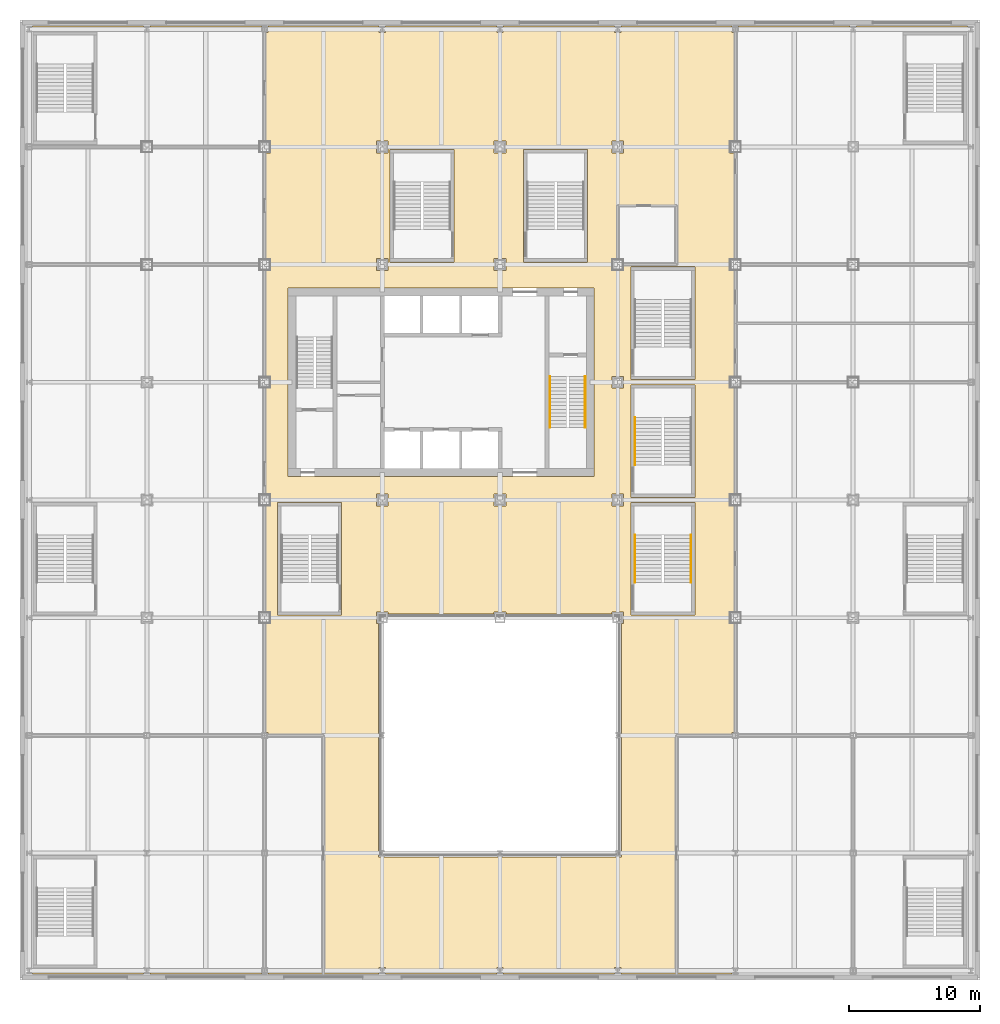
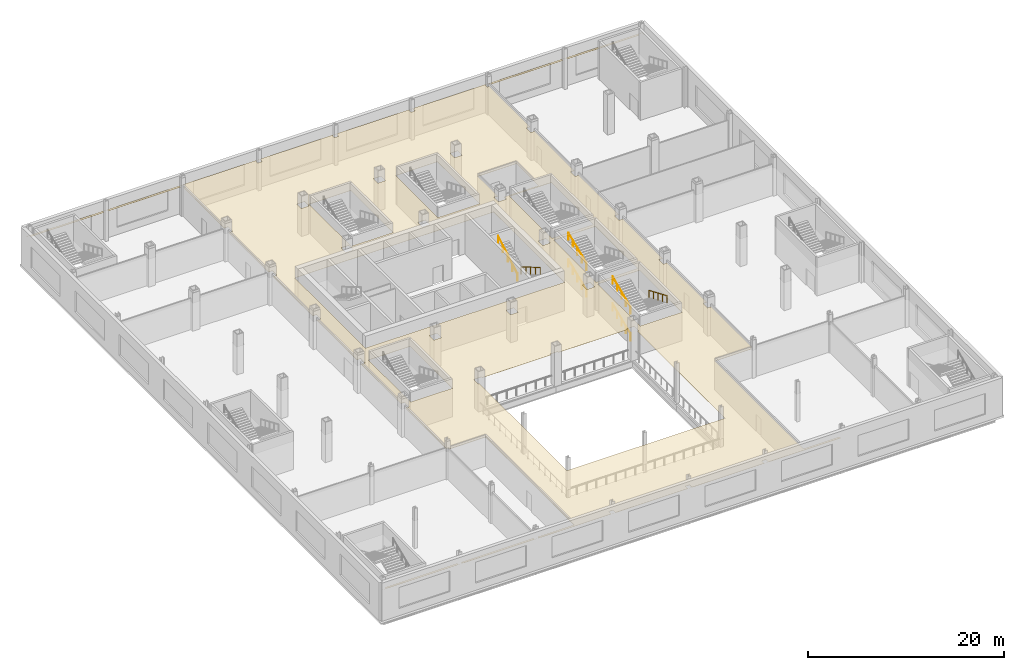
# One storey, part 26 of 31: 7 railings, 1 covering.
"""IFC4 building model written with IfcOpenShell, lengths in metres."""

import ifcopenshell
import ifcopenshell.guid

model = None  # the IFC model being written
_history = None  # IfcOwnerHistory: only IFC2X3 demands one
_inside = {}  # id of a spatial element -> (the spatial element, [elements in it])
_under = {}  # id of a project, library or spatial element -> (it, [spatial elements below it])
_declared = {}  # id of a project -> (the project, [libraries it declares])
_typed = {}  # id of a type object -> (the type object, [elements of that type])
_made_of = {}  # id of a material, layer set ... -> (it, [elements and type objects made of it])


def new_model(schema):
    """Start an empty IFC model of exactly this schema.

    Asked for "IFC4X3", IfcOpenShell would pick the latest addendum, in which some entities
    have other attributes; the version numbers below select the first issue.
    IFC2X3 requires an IfcOwnerHistory on every rooted entity: one is made here for all.
    """
    global model, _history
    if schema == "IFC4X3":
        model = ifcopenshell.file(schema_version=(4, 3, 0, 0))
    else:
        model = ifcopenshell.file(schema=schema)
    _inside.clear()
    _under.clear()
    _declared.clear()
    _typed.clear()
    _made_of.clear()
    _history = None
    if model.schema == "IFC2X3":
        org = make("IfcOrganization", Name="unknown")
        user = make(
            "IfcPersonAndOrganization",
            ThePerson=make("IfcPerson", FamilyName="unknown"),
            TheOrganization=org,
        )
        app = make(
            "IfcApplication",
            ApplicationDeveloper=org,
            Version="unknown",
            ApplicationFullName="unknown",
            ApplicationIdentifier="unknown",
        )
        _history = make(
            "IfcOwnerHistory",
            OwningUser=user,
            OwningApplication=app,
            ChangeAction="ADDED",
            CreationDate=0,
        )
    return model


def make(cls, **values):
    """One entity of the class cls with the attributes given. An attribute that is None is left unset."""
    return model.create_entity(
        cls, **{name: value for name, value in values.items() if value is not None}
    )


def rooted(cls, **values):
    """An entity with a GlobalId (a new one), such as an element, a storey or a relation."""
    return make(cls, GlobalId=ifcopenshell.guid.new(), OwnerHistory=_history, **values)


def si_unit(unit_type, name, prefix=None):
    """IfcSIUnit, for example si_unit("LENGTHUNIT", "METRE", prefix="MILLI")."""
    return make("IfcSIUnit", UnitType=unit_type, Prefix=prefix, Name=name)


def assignment(units):
    """IfcUnitAssignment: the units of a project."""
    return None if units is None else make("IfcUnitAssignment", Units=units)


def point(xyz):
    """IfcCartesianPoint."""
    return None if xyz is None else make("IfcCartesianPoint", Coordinates=xyz)


def direction(xyz):
    """IfcDirection."""
    return None if xyz is None else make("IfcDirection", DirectionRatios=xyz)


def frame(location, z_axis=None, x_axis=None):
    """IfcAxis2Placement3D, a coordinate frame: its origin and axes. An axis left out is left unset."""
    return make(
        "IfcAxis2Placement3D",
        Location=point(location),
        Axis=direction(z_axis),
        RefDirection=direction(x_axis),
    )


def frame_2d(location, x_axis=None):
    """IfcAxis2Placement2D, a coordinate frame in the plane: its origin and x axis."""
    return make(
        "IfcAxis2Placement2D", Location=point(location), RefDirection=direction(x_axis)
    )


def origin():
    """The frame at (0, 0, 0) with its axes left unset."""
    return frame((0.0, 0.0, 0.0))


def origin_2d():
    """The frame at (0, 0) in the plane with its x axis left unset."""
    return frame_2d((0.0, 0.0))


def place(relative_to, where):
    """IfcLocalPlacement: puts the frame where relative to a parent placement (None: the world)."""
    return make(
        "IfcLocalPlacement", PlacementRelTo=relative_to, RelativePlacement=where
    )


def context(
    kind, dimensions, precision=None, world=None, true_north=None, identifier=None
):
    """IfcGeometricRepresentationContext, for example the 3D "Model" context."""
    return make(
        "IfcGeometricRepresentationContext",
        ContextIdentifier=identifier,
        ContextType=kind,
        CoordinateSpaceDimension=dimensions,
        Precision=precision,
        WorldCoordinateSystem=world,
        TrueNorth=true_north,
    )


def subcontext(parent, identifier, kind, view, scale=None):
    """IfcGeometricRepresentationSubContext, for example "Body" below "Model"."""
    return make(
        "IfcGeometricRepresentationSubContext",
        ContextIdentifier=identifier,
        ContextType=kind,
        ParentContext=parent,
        TargetScale=scale,
        TargetView=view,
    )


def project(units=None, contexts=None):
    """IfcProject with its units and contexts."""
    return rooted(
        "IfcProject",
        Name="project",
        RepresentationContexts=contexts,
        UnitsInContext=assignment(units),
    )


def spatial(cls, under=None, at=None, **own):
    """A site, building, storey or space (cls), placed at a placement, below another one or the project."""
    s = rooted(cls, ObjectPlacement=at, **own)
    if under is not None:
        _under.setdefault(under.id(), (under, []))[1].append(s)
    return s


def polyline(points):
    """IfcPolyline through the points."""
    return make("IfcPolyline", Points=[point(p) for p in points])


def profile(cls, at=None, kind="AREA", **sizes):
    """A parametric profile (cls). Its sizes go by their IFC names, for example OverallWidth=200.0."""
    return make(cls, ProfileType=kind, Position=at, **sizes)


def circle(**sizes):
    """IfcCircleProfileDef."""
    return profile("IfcCircleProfileDef", **sizes)


def outline(outer, holes=None, kind="AREA"):
    """IfcArbitraryClosedProfileDef: a profile drawn as a closed curve; with holes, ...WithVoids."""
    if holes is None:
        return make("IfcArbitraryClosedProfileDef", ProfileType=kind, OuterCurve=outer)
    return make(
        "IfcArbitraryProfileDefWithVoids",
        ProfileType=kind,
        OuterCurve=outer,
        InnerCurves=holes,
    )


def extrude(swept, where, along, depth):
    """IfcExtrudedAreaSolid: the profile swept, set in the frame where, extruded along a direction by depth."""
    return make(
        "IfcExtrudedAreaSolid",
        SweptArea=swept,
        Position=where,
        ExtrudedDirection=direction(along),
        Depth=depth,
    )


def shape(context_of_items, identifier, shape_type, items):
    """IfcShapeRepresentation: the items that make up one representation, for example the "Body"."""
    return make(
        "IfcShapeRepresentation",
        ContextOfItems=context_of_items,
        RepresentationIdentifier=identifier,
        RepresentationType=shape_type,
        Items=items,
    )


def material(Name=None, Category=None):
    """IfcMaterial."""
    return make("IfcMaterial", Name=Name, Category=Category)


def layer(
    of_material, thickness, ventilated=None, Name=None, Category=None, Priority=None
):
    """IfcMaterialLayer: one layer of a wall or slab, of a material (None: an air gap)."""
    return make(
        "IfcMaterialLayer",
        Material=of_material,
        LayerThickness=thickness,
        IsVentilated=ventilated,
        Name=Name,
        Category=Category,
        Priority=Priority,
    )


def layer_set(layers, Name=None):
    """IfcMaterialLayerSet."""
    return make("IfcMaterialLayerSet", MaterialLayers=layers, LayerSetName=Name)


def made_of(thing, what):
    """Note that an element or type object is made of a material, layer set ...; save() writes the relation."""
    if what is not None:
        _made_of.setdefault(what.id(), (what, []))[1].append(thing)
    return thing


def type_object(cls, material=None, **own):
    """A type object (cls), such as IfcWallType, which elements share."""
    return made_of(rooted(cls, **own), material)


def element(
    cls,
    number,
    at=None,
    inside=None,
    cuts=None,
    type_object=None,
    material=None,
    context=None,
    identifier="Body",
    shape_type=None,
    held_by="IfcProductDefinitionShape",
    body=None,
    shapes=None,
    **own,
):
    """One element of the class cls, such as IfcWall. Its Tag is "e" and its number.

    at: its placement. inside: the storey or other place that contains it. cuts: it is an
    opening in that element (IfcRelVoidsElement). A single representation is given by context,
    identifier, shape_type and body (its items); several are given by shapes. held_by: the class
    of the entity that holds the representations. save() writes the other relations.
    """
    e = rooted(cls, Tag="e%d" % number, ObjectPlacement=at, **own)
    if body is not None:
        shapes = [shape(context, identifier, shape_type, body)]
    if shapes is not None:
        e.Representation = make(held_by, Representations=shapes)
    if inside is not None:
        _inside.setdefault(inside.id(), (inside, []))[1].append(e)
    if cuts is not None:
        rooted(
            "IfcRelVoidsElement", RelatingBuildingElement=cuts, RelatedOpeningElement=e
        )
    if type_object is not None:
        _typed.setdefault(type_object.id(), (type_object, []))[1].append(e)
    return made_of(e, material)


def aggregate(whole, parts):
    """IfcRelAggregates: a whole, such as a stair, and the parts it consists of."""
    return rooted("IfcRelAggregates", RelatingObject=whole, RelatedObjects=parts)


def save(model, path):
    """Write the relations noted so far, then the file.

    IfcRelAggregates (storeys below a building ...), IfcRelContainedInSpatialStructure (elements
    in a storey), IfcRelDefinesByType, IfcRelAssociatesMaterial and IfcRelDeclares: one each for
    every whole, place, type object, material and project.
    """
    for whole, parts in _under.values():
        aggregate(whole, parts)
    for where, things in _inside.values():
        rooted(
            "IfcRelContainedInSpatialStructure",
            RelatedElements=things,
            RelatingStructure=where,
        )
    for kind, things in _typed.values():
        rooted("IfcRelDefinesByType", RelatedObjects=things, RelatingType=kind)
    for what, things in _made_of.values():
        rooted("IfcRelAssociatesMaterial", RelatedObjects=things, RelatingMaterial=what)
    for by, libraries in _declared.values():
        rooted("IfcRelDeclares", RelatingContext=by, RelatedDefinitions=libraries)
    model.write(path)


model = new_model("IFC4")

# Units and contexts
model_context = context("Model", 3, precision=1e-05, world=origin(), true_north=direction((0.0, 1.0)))
body_context = subcontext(model_context, "Body", "Model", "MODEL_VIEW")
ifc_project = project(units=[si_unit("LENGTHUNIT", "METRE"), si_unit("AREAUNIT", "SQUARE_METRE"), si_unit("VOLUMEUNIT", "CUBIC_METRE"), si_unit("PLANEANGLEUNIT", "RADIAN"), si_unit("MASSUNIT", "GRAM", prefix="KILO")], contexts=[model_context])

# Site, building, storey
site_placement = place(None, origin())
site = spatial("IfcSite", under=ifc_project, at=site_placement, CompositionType="ELEMENT")
building_placement = place(site_placement, origin())
building = spatial("IfcBuilding", under=site, at=building_placement, Name="Loomwork Tower", CompositionType="ELEMENT")
storey_placement = place(building_placement, frame((0.0, 0.0, 11.0)))
storey = spatial("IfcBuildingStorey", under=building, at=storey_placement, Name="L02", CompositionType="ELEMENT", Elevation=11.0)

# Railings
ifc_material_1 = material(Name="Stainless steel handrail", Category="steel")
railing_type = type_object("IfcRailingType", Name="Handrail 900", PredefinedType="HANDRAIL", material=ifc_material_1)
railing_1_placement = place(storey_placement, frame((33.514892578125, 18.449951171875, 0.166748046875)))
element("IfcRailing", 1, at=railing_1_placement, inside=storey, type_object=railing_type, Name="Stair B handrail flight 1 L02", PredefinedType="HANDRAIL", context=body_context, shape_type="SweptSolid", body=[
    extrude(circle(Radius=0.02392578125, at=origin_2d()), frame((0.0, 0.0, 0.8759765625), z_axis=(0.0, -0.859296244711, 0.511478214419), x_axis=(1.0, 0.0, 0.0)), (0.0, 0.0, 1.0), 4.561767578125),
    extrude(circle(Radius=0.02099609375, at=origin_2d()), origin(), (0.0, 0.0, 1.0), 0.851806640625),
    extrude(circle(Radius=0.02099609375, at=origin_2d()), frame((0.0, -0.97998046875, 0.583251953125)), (0.0, 0.0, 1.0), 0.851806640625),
    extrude(circle(Radius=0.02099609375, at=origin_2d()), frame((0.0, -1.9599609375, 1.16650390625)), (0.0, 0.0, 1.0), 0.851806640625),
    extrude(circle(Radius=0.02099609375, at=origin_2d()), frame((0.0, -2.93994140625, 1.75)), (0.0, 0.0, 1.0), 0.851806640625),
    extrude(circle(Radius=0.02099609375, at=origin_2d()), frame((0.0, -3.919921875, 2.333251953125)), (0.0, 0.0, 1.0), 0.851806640625),
])
railing_2_placement = place(storey_placement, frame((30.8349609375, 14.530029296875, 2.666748046875)))
element("IfcRailing", 2, at=railing_2_placement, inside=storey, type_object=railing_type, Name="Stair B handrail flight 2 L02", PredefinedType="HANDRAIL", context=body_context, shape_type="SweptSolid", body=[
    extrude(circle(Radius=0.02392578125, at=origin_2d()), frame((0.0, 0.0, 0.8759765625), z_axis=(0.0, 0.859296244711, 0.511478214419), x_axis=(-1.0, 0.0, 0.0)), (0.0, 0.0, 1.0), 4.561767578125),
    extrude(circle(Radius=0.02099609375, at=origin_2d()), origin(), (0.0, 0.0, 1.0), 0.851806640625),
    extrude(circle(Radius=0.02099609375, at=origin_2d()), frame((0.0, 0.97998046875, 0.583251953125)), (0.0, 0.0, 1.0), 0.851806640625),
    extrude(circle(Radius=0.02099609375, at=origin_2d()), frame((0.0, 1.9599609375, 1.16650390625)), (0.0, 0.0, 1.0), 0.851806640625),
    extrude(circle(Radius=0.02099609375, at=origin_2d()), frame((0.0, 2.93994140625, 1.75)), (0.0, 0.0, 1.0), 0.851806640625),
    extrude(circle(Radius=0.02099609375, at=origin_2d()), frame((0.0, 3.919921875, 2.333251953125)), (0.0, 0.0, 1.0), 0.851806640625),
])
railing_3_placement = place(storey_placement, frame((37.31005859375, 2.679931640625, 0.118896484375)))
element("IfcRailing", 3, at=railing_3_placement, inside=storey, type_object=railing_type, Name="Podium stair PS7 handrail flight 1 L02", PredefinedType="HANDRAIL", context=body_context, shape_type="SweptSolid", body=[
    extrude(circle(Radius=0.02392578125, at=origin_2d()), frame((0.0, 0.0, 0.8759765625), z_axis=(0.0, 0.920258693564, 0.391310537706), x_axis=(-1.0, 0.0, 0.0)), (0.0, 0.0, 1.0), 3.95556640625),
    extrude(circle(Radius=0.02099609375, at=origin_2d()), origin(), (0.0, 0.0, 1.0), 0.851806640625),
    extrude(circle(Radius=0.02099609375, at=origin_2d()), frame((0.0, 0.91015625, 0.386962890625)), (0.0, 0.0, 1.0), 0.851806640625),
    extrude(circle(Radius=0.02099609375, at=origin_2d()), frame((0.0, 1.820068359375, 0.77392578125)), (0.0, 0.0, 1.0), 0.851806640625),
    extrude(circle(Radius=0.02099609375, at=origin_2d()), frame((0.0, 2.72998046875, 1.160888671875)), (0.0, 0.0, 1.0), 0.851806640625),
    extrude(circle(Radius=0.02099609375, at=origin_2d()), frame((0.0, 3.64013671875, 1.5478515625)), (0.0, 0.0, 1.0), 0.851806640625),
])
railing_4_placement = place(storey_placement, frame((41.590087890625, 6.320068359375, 1.78564453125)))
element("IfcRailing", 4, at=railing_4_placement, inside=storey, type_object=railing_type, Name="Podium stair PS7 handrail flight 2 L02", PredefinedType="HANDRAIL", context=body_context, shape_type="SweptSolid", body=[
    extrude(circle(Radius=0.02392578125, at=origin_2d()), frame((0.0, 0.0, 0.8759765625), z_axis=(0.0, -0.920258693564, 0.391310537706), x_axis=(1.0, 0.0, 0.0)), (0.0, 0.0, 1.0), 3.95556640625),
    extrude(circle(Radius=0.02099609375, at=origin_2d()), origin(), (0.0, 0.0, 1.0), 0.851806640625),
    extrude(circle(Radius=0.02099609375, at=origin_2d()), frame((0.0, -0.91015625, 0.386962890625)), (0.0, 0.0, 1.0), 0.851806640625),
    extrude(circle(Radius=0.02099609375, at=origin_2d()), frame((0.0, -1.820068359375, 0.77392578125)), (0.0, 0.0, 1.0), 0.851806640625),
    extrude(circle(Radius=0.02099609375, at=origin_2d()), frame((0.0, -2.72998046875, 1.160888671875)), (0.0, 0.0, 1.0), 0.851806640625),
    extrude(circle(Radius=0.02099609375, at=origin_2d()), frame((0.0, -3.64013671875, 1.5478515625)), (0.0, 0.0, 1.0), 0.851806640625),
])
railing_5_placement = place(storey_placement, frame((37.31005859375, 2.679931640625, 3.452392578125)))
element("IfcRailing", 5, at=railing_5_placement, inside=storey, type_object=railing_type, Name="Podium stair PS7 handrail flight 3 L02", PredefinedType="HANDRAIL", context=body_context, shape_type="SweptSolid", body=[
    extrude(circle(Radius=0.02392578125, at=origin_2d()), frame((0.0, 0.0, 0.8759765625), z_axis=(0.0, 0.920280918742, 0.391258265855), x_axis=(-1.0, 0.0, 0.0)), (0.0, 0.0, 1.0), 3.95556640625),
    extrude(circle(Radius=0.02099609375, at=origin_2d()), origin(), (0.0, 0.0, 1.0), 0.851806640625),
    extrude(circle(Radius=0.02099609375, at=origin_2d()), frame((0.0, 0.91015625, 0.386962890625)), (0.0, 0.0, 1.0), 0.851806640625),
    extrude(circle(Radius=0.02099609375, at=origin_2d()), frame((0.0, 1.820068359375, 0.77392578125)), (0.0, 0.0, 1.0), 0.851806640625),
    extrude(circle(Radius=0.02099609375, at=origin_2d()), frame((0.0, 2.72998046875, 1.16064453125)), (0.0, 0.0, 1.0), 0.851806640625),
    extrude(circle(Radius=0.02099609375, at=origin_2d()), frame((0.0, 3.64013671875, 1.547607421875)), (0.0, 0.0, 1.0), 0.851806640625),
])
railing_6_placement = place(storey_placement, frame((37.31005859375, 11.679931640625, 0.118896484375)))
element("IfcRailing", 6, at=railing_6_placement, inside=storey, type_object=railing_type, Name="Podium stair PS8 handrail flight 1 L02", PredefinedType="HANDRAIL", context=body_context, shape_type="SweptSolid", body=[
    extrude(circle(Radius=0.02392578125, at=origin_2d()), frame((0.0, 0.0, 0.8759765625), z_axis=(0.0, 0.920258693564, 0.391310537706), x_axis=(-1.0, 0.0, 0.0)), (0.0, 0.0, 1.0), 3.95556640625),
    extrude(circle(Radius=0.02099609375, at=origin_2d()), origin(), (0.0, 0.0, 1.0), 0.851806640625),
    extrude(circle(Radius=0.02099609375, at=origin_2d()), frame((0.0, 0.91015625, 0.386962890625)), (0.0, 0.0, 1.0), 0.851806640625),
    extrude(circle(Radius=0.02099609375, at=origin_2d()), frame((0.0, 1.820068359375, 0.77392578125)), (0.0, 0.0, 1.0), 0.851806640625),
    extrude(circle(Radius=0.02099609375, at=origin_2d()), frame((0.0, 2.72998046875, 1.160888671875)), (0.0, 0.0, 1.0), 0.851806640625),
    extrude(circle(Radius=0.02099609375, at=origin_2d()), frame((0.0, 3.64013671875, 1.5478515625)), (0.0, 0.0, 1.0), 0.851806640625),
])
railing_7_placement = place(storey_placement, frame((37.31005859375, 11.679931640625, 3.452392578125)))
element("IfcRailing", 7, at=railing_7_placement, inside=storey, type_object=railing_type, Name="Podium stair PS8 handrail flight 3 L02", PredefinedType="HANDRAIL", context=body_context, shape_type="SweptSolid", body=[
    extrude(circle(Radius=0.02392578125, at=origin_2d()), frame((0.0, 0.0, 0.8759765625), z_axis=(0.0, 0.920280918742, 0.391258265855), x_axis=(-1.0, 0.0, 0.0)), (0.0, 0.0, 1.0), 3.95556640625),
    extrude(circle(Radius=0.02099609375, at=origin_2d()), origin(), (0.0, 0.0, 1.0), 0.851806640625),
    extrude(circle(Radius=0.02099609375, at=origin_2d()), frame((0.0, 0.91015625, 0.386962890625)), (0.0, 0.0, 1.0), 0.851806640625),
    extrude(circle(Radius=0.02099609375, at=origin_2d()), frame((0.0, 1.820068359375, 0.77392578125)), (0.0, 0.0, 1.0), 0.851806640625),
    extrude(circle(Radius=0.02099609375, at=origin_2d()), frame((0.0, 2.72998046875, 1.16064453125)), (0.0, 0.0, 1.0), 0.851806640625),
    extrude(circle(Radius=0.02099609375, at=origin_2d()), frame((0.0, 3.64013671875, 1.547607421875)), (0.0, 0.0, 1.0), 0.851806640625),
])

# Covering
ifc_material_2 = material(Name="Mineral fibre acoustic tile on suspension grid")
ifc_layer = layer(ifc_material_2, 0.02490234375)
ifc_layer_set = layer_set([ifc_layer], Name="Suspended acoustic ceiling")
covering_type = type_object("IfcCoveringType", Name="Suspended acoustic ceiling", PredefinedType="CEILING", material=ifc_layer_set)
covering_placement = place(storey_placement, frame((0.0, 0.0, 3.52490234375)))
element("IfcCovering", 8, at=covering_placement, inside=storey, type_object=covering_type, Name="Ceiling Pre-function foyer L02", PredefinedType="CEILING", context=body_context, shape_type="SweptSolid", body=[
    extrude(outline(polyline([(-9.25, -27.25), (-9.25, -26.800048828125), (-9.246826171875, -26.800048828125), (-9.246826171875, -27.238037109375), (-8.753173828125, -27.238037109375), (-8.753173828125, -27.0), (-0.246826171875, -27.0), (-0.246826171875, -27.238037109375), (0.246826171875, -27.238037109375), (0.246826171875, -27.0), (8.753173828125, -27.0), (8.753173828125, -27.238037109375), (9.246826171875, -27.238037109375), (9.246826171875, -27.0), (13.5, -27.0), (13.5, -9.0), (9.246826171875, -9.0), (9.246826171875, -8.761962890625), (9.0, -8.761962890625), (9.0, -0.449951171875), (9.449951171875, -0.449951171875), (9.449951171875, 0.449951171875), (9.0, 0.449951171875), (9.0, 8.550048828125), (9.449951171875, 8.550048828125), (9.449951171875, 9.449951171875), (9.0, 9.449951171875), (9.0, 17.550048828125), (9.449951171875, 17.550048828125), (9.449951171875, 18.449951171875), (9.0, 18.449951171875), (9.0, 26.550048828125), (9.449951171875, 26.550048828125), (9.449951171875, 27.449951171875), (9.0, 27.449951171875), (9.0, 35.550048828125), (9.449951171875, 35.550048828125), (9.449951171875, 36.449951171875), (9.0, 36.449951171875), (9.0, 44.761962890625), (9.246826171875, 44.761962890625), (9.246826171875, 45.238037109375), (8.753173828125, 45.238037109375), (8.753173828125, 45.0), (0.246826171875, 45.0), (0.246826171875, 45.238037109375), (-0.246826171875, 45.238037109375), (-0.246826171875, 45.0), (-8.753173828125, 45.0), (-8.753173828125, 45.238037109375), (-9.246826171875, 45.238037109375), (-9.246826171875, 44.800048828125), (-9.25, 44.800048828125), (-9.25, 45.25), (63.25, 45.25), (63.25, 44.800048828125), (63.246826171875, 44.800048828125), (63.246826171875, 45.238037109375), (62.753173828125, 45.238037109375), (62.753173828125, 45.0), (54.246826171875, 45.0), (54.246826171875, 45.238037109375), (53.753173828125, 45.238037109375), (53.753173828125, 45.0), (45.246826171875, 45.0), (45.246826171875, 45.238037109375), (44.753173828125, 45.238037109375), (44.753173828125, 44.761962890625), (45.0, 44.761962890625), (45.0, 36.449951171875), (44.550048828125, 36.449951171875), (44.550048828125, 35.550048828125), (45.0, 35.550048828125), (45.0, 27.449951171875), (44.550048828125, 27.449951171875), (44.550048828125, 26.550048828125), (45.0, 26.550048828125), (45.0, 22.5), (45.0, 18.449951171875), (44.550048828125, 18.449951171875), (44.550048828125, 17.550048828125), (45.0, 17.550048828125), (45.0, 9.449951171875), (44.550048828125, 9.449951171875), (44.550048828125, 8.550048828125), (45.0, 8.550048828125), (45.0, 0.449951171875), (44.550048828125, 0.449951171875), (44.550048828125, -0.449951171875), (45.0, -0.449951171875), (45.0, -8.761962890625), (44.753173828125, -8.761962890625), (44.753173828125, -9.0), (40.5, -9.0), (40.5, -27.0), (44.74560546875, -27.0), (44.74560546875, -27.25), (-9.25, -27.25)]), holes=[polyline([(41.89990234375, 26.800048828125), (37.0, 26.800048828125), (37.0, 18.199951171875), (41.89990234375, 18.199951171875), (41.89990234375, 26.800048828125)]), polyline([(37.0, 17.800048828125), (37.0, 9.199951171875), (41.89990234375, 9.199951171875), (41.89990234375, 17.800048828125), (37.0, 17.800048828125)]), polyline([(37.0, 8.800048828125), (37.0, 0.199951171875), (41.89990234375, 0.199951171875), (41.89990234375, 8.800048828125), (37.0, 8.800048828125)]), polyline([(36.0, 27.449951171875), (35.550048828125, 27.449951171875), (35.550048828125, 26.550048828125), (36.449951171875, 26.550048828125), (36.449951171875, 27.0), (40.5, 27.0), (40.5, 31.5), (36.0, 31.5), (36.0, 27.449951171875)]), polyline([(27.449951171875, 0.300048828125), (27.449951171875, 0.449951171875), (26.550048828125, 0.449951171875), (26.550048828125, 0.300048828125), (18.449951171875, 0.300048828125), (18.449951171875, 0.449951171875), (17.550048828125, 0.449951171875), (17.550048828125, -0.449951171875), (17.699951171875, -0.449951171875), (17.699951171875, -18.300048828125), (36.300048828125, -18.300048828125), (36.300048828125, -0.449951171875), (36.449951171875, -0.449951171875), (36.449951171875, 0.449951171875), (35.550048828125, 0.449951171875), (35.550048828125, 0.300048828125), (27.449951171875, 0.300048828125)]), polyline([(35.550048828125, 36.449951171875), (35.550048828125, 35.550048828125), (36.449951171875, 35.550048828125), (36.449951171875, 36.449951171875), (35.550048828125, 36.449951171875)]), polyline([(35.550048828125, 17.550048828125), (36.449951171875, 17.550048828125), (36.449951171875, 18.449951171875), (35.550048828125, 18.449951171875), (35.550048828125, 17.550048828125)]), polyline([(35.550048828125, 8.550048828125), (36.449951171875, 8.550048828125), (36.449951171875, 9.449951171875), (35.550048828125, 9.449951171875), (35.550048828125, 8.550048828125)]), polyline([(35.753173828125, -26.761962890625), (35.753173828125, -27.238037109375), (36.246826171875, -27.238037109375), (36.246826171875, -26.761962890625), (35.753173828125, -26.761962890625)]), polyline([(35.753173828125, 44.761962890625), (36.246826171875, 44.761962890625), (36.246826171875, 45.238037109375), (35.753173828125, 45.238037109375), (35.753173828125, 44.761962890625)]), polyline([(34.199951171875, 25.199951171875), (10.800048828125, 25.199951171875), (10.800048828125, 10.800048828125), (34.199951171875, 10.800048828125), (34.199951171875, 25.199951171875)]), polyline([(33.699951171875, 35.800048828125), (28.800048828125, 35.800048828125), (28.800048828125, 27.199951171875), (33.699951171875, 27.199951171875), (33.699951171875, 35.800048828125)]), polyline([(26.550048828125, 36.449951171875), (26.550048828125, 35.550048828125), (27.449951171875, 35.550048828125), (27.449951171875, 36.449951171875), (26.550048828125, 36.449951171875)]), polyline([(26.550048828125, 26.550048828125), (27.449951171875, 26.550048828125), (27.449951171875, 27.449951171875), (26.550048828125, 27.449951171875), (26.550048828125, 26.550048828125)]), polyline([(26.550048828125, 8.550048828125), (27.449951171875, 8.550048828125), (27.449951171875, 9.449951171875), (26.550048828125, 9.449951171875), (26.550048828125, 8.550048828125)]), polyline([(26.753173828125, -26.761962890625), (26.753173828125, -27.238037109375), (27.246826171875, -27.238037109375), (27.246826171875, -26.761962890625), (26.753173828125, -26.761962890625)]), polyline([(26.753173828125, 44.761962890625), (27.246826171875, 44.761962890625), (27.246826171875, 45.238037109375), (26.753173828125, 45.238037109375), (26.753173828125, 44.761962890625)]), polyline([(23.5, 35.800048828125), (18.60009765625, 35.800048828125), (18.60009765625, 27.199951171875), (23.5, 27.199951171875), (23.5, 35.800048828125)]), polyline([(17.550048828125, 35.550048828125), (18.449951171875, 35.550048828125), (18.449951171875, 36.449951171875), (17.550048828125, 36.449951171875), (17.550048828125, 35.550048828125)]), polyline([(17.550048828125, 26.550048828125), (18.449951171875, 26.550048828125), (18.449951171875, 27.449951171875), (17.550048828125, 27.449951171875), (17.550048828125, 26.550048828125)]), polyline([(17.550048828125, 9.449951171875), (17.550048828125, 8.550048828125), (18.449951171875, 8.550048828125), (18.449951171875, 9.449951171875), (17.550048828125, 9.449951171875)]), polyline([(17.753173828125, 45.238037109375), (17.753173828125, 44.761962890625), (18.246826171875, 44.761962890625), (18.246826171875, 45.238037109375), (17.753173828125, 45.238037109375)]), polyline([(17.753173828125, -27.238037109375), (18.246826171875, -27.238037109375), (18.246826171875, -26.761962890625), (17.753173828125, -26.761962890625), (17.753173828125, -27.238037109375)]), polyline([(14.89990234375, 8.800048828125), (10.0, 8.800048828125), (10.0, 0.199951171875), (14.89990234375, 0.199951171875), (14.89990234375, 8.800048828125)])]), origin(), (0.0, 0.0, 1.0), 0.025146484375),
])

save(model, "model.ifc")
